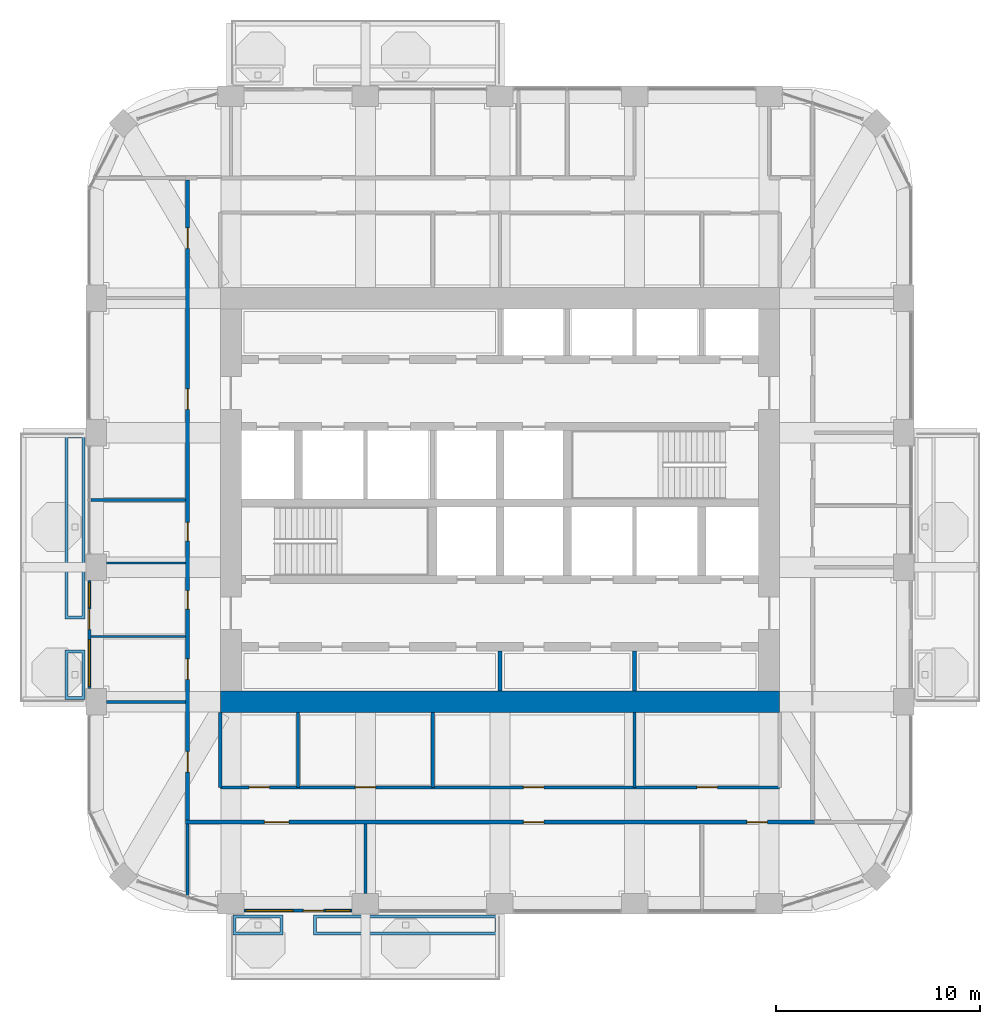
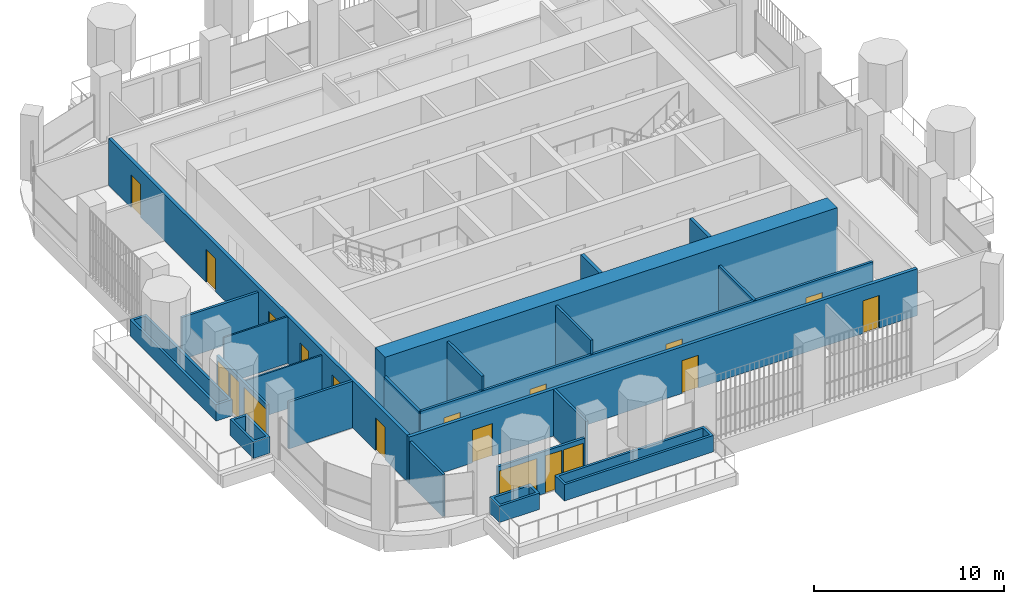
# One storey, part 12 of 20: 22 walls, 15 doors, 4 windows, 19 openings.
"""IFC4 building model written with IfcOpenShell, lengths in metres."""

from ifc_helpers import new_model, si_unit, direction, frame, frame_2d, origin, place, context, subcontext, project, spatial, polyline, rectangle, outline, extrude, material, layer, layer_set, type_object, element, fill, save


model = new_model("IFC4")

# Units and contexts
model_context = context("Model", 3, precision=1e-05, world=origin(), true_north=direction((0.0, 1.0)))
body_context = subcontext(model_context, "Body", "Model", "MODEL_VIEW")
ifc_project = project(units=[si_unit("LENGTHUNIT", "METRE"), si_unit("AREAUNIT", "SQUARE_METRE"), si_unit("VOLUMEUNIT", "CUBIC_METRE"), si_unit("PLANEANGLEUNIT", "RADIAN"), si_unit("MASSUNIT", "GRAM", prefix="KILO")], contexts=[model_context])

# Site, building, storey
site_placement = place(None, origin())
site = spatial("IfcSite", under=ifc_project, at=site_placement, CompositionType="ELEMENT")
building_placement = place(site_placement, origin())
building = spatial("IfcBuilding", under=site, at=building_placement, Name="Cobogo Forest Laboratory Tower", CompositionType="ELEMENT")
storey_placement = place(building_placement, frame((0.0, 0.0, 246.0)))
storey = spatial("IfcBuildingStorey", under=building, at=storey_placement, Name="L56", CompositionType="ELEMENT", Elevation=246.0)

# Wall
ifc_material_1 = material(Name="Concrete HA-50 (C50/60)", Category="concrete")
ifc_layer_1 = layer(ifc_material_1, 1.050048828125)
ifc_layer_set_1 = layer_set([ifc_layer_1], Name="CW1050 core outer wall 1050")
wall_type_1 = type_object("IfcWallType", Name="CW1050 core outer wall 1050", PredefinedType="SHEAR", material=ifc_layer_set_1)
wall_1_placement = place(storey_placement, frame((12.675048828125, 13.199951171875, 0.0), z_axis=(0.0, 0.0, 1.0), x_axis=(1.0, 0.0, 0.0)))
element("IfcWall", 1, at=wall_1_placement, inside=storey, type_object=wall_type_1, Name="Core wall CO-S L56", PredefinedType="SHEAR", context=body_context, shape_type="SweptSolid", body=[
    extrude(rectangle(XDim=27.449951171875, YDim=1.050048828125, at=frame_2d((13.72509765625, 0.0))), origin(), (0.0, 0.0, 1.0), 4.199951171875),
])

# Wall, openings, door, windows
ifc_material_2 = material(Name="Aluminium framed glazed screen", Category="aluminium")
ifc_layer_2 = layer(ifc_material_2, 0.14990234375)
ifc_layer_set_2 = layer_set([ifc_layer_2], Name="GS1 glazed door screen 150")
wall_type_2 = type_object("IfcWallType", Name="GS1 glazed door screen 150", PredefinedType="SOLIDWALL", material=ifc_layer_set_2)
wall_2_placement = place(storey_placement, frame((13.85009765625, 2.949951171875, 0.0), z_axis=(0.0, 0.0, 1.0), x_axis=(1.0, 0.0, 0.0)))
wall_2 = element("IfcWall", 2, at=wall_2_placement, inside=storey, type_object=wall_type_2, Name="Door screen BAL-S1 L56", PredefinedType="SOLIDWALL", context=body_context, shape_type="SweptSolid", body=[
    extrude(rectangle(XDim=5.2998046875, YDim=0.14990234375, at=frame_2d((2.64990234375, 0.0))), origin(), (0.0, 0.0, 1.0), 2.699951171875),
])
opening_1_placement = place(wall_2_placement, frame((2.89990234375, 0.0, 0.0)))
opening_1 = element("IfcOpeningElement", 3, at=opening_1_placement, cuts=wall_2, Name="Opening L56-D01", PredefinedType="OPENING", context=body_context, shape_type="SweptSolid", body=[
    extrude(rectangle(XDim=1.0, YDim=2.39990234375, at=frame_2d((0.5, 1.199951171875))), frame((0.0, 0.0849609375, 0.0), z_axis=(0.0, -1.0, 0.0), x_axis=(1.0, 0.0, 0.0)), (0.0, 0.0, 1.0), 0.169921875),
])
opening_2_placement = place(wall_2_placement, frame((0.10009765625, 0.0, 0.10009765625)))
opening_2 = element("IfcOpeningElement", 4, at=opening_2_placement, cuts=wall_2, Name="Opening L56-W01", PredefinedType="OPENING", context=body_context, shape_type="SweptSolid", body=[
    extrude(rectangle(XDim=2.300048828125, YDim=2.300048828125, at=frame_2d((1.14990234375, 1.14990234375))), frame((0.0, 0.0849609375, 0.0), z_axis=(0.0, -1.0, 0.0), x_axis=(1.0, 0.0, 0.0)), (0.0, 0.0, 1.0), 0.169921875),
])
opening_3_placement = place(wall_2_placement, frame((4.0, 0.0, 0.10009765625)))
opening_3 = element("IfcOpeningElement", 5, at=opening_3_placement, cuts=wall_2, Name="Opening L56-W02", PredefinedType="OPENING", context=body_context, shape_type="SweptSolid", body=[
    extrude(rectangle(XDim=1.199951171875, YDim=2.300048828125, at=frame_2d((0.60009765625, 1.14990234375))), frame((0.0, 0.0849609375, 0.0), z_axis=(0.0, -1.0, 0.0), x_axis=(1.0, 0.0, 0.0)), (0.0, 0.0, 1.0), 0.169921875),
])
ifc_material_3 = material(Name="Aluminium glazed door", Category="aluminium")
door_type_1 = type_object("IfcDoorType", Name="DB1 balcony door 1000 glazed", OperationType="SINGLE_SWING_LEFT", PredefinedType="DOOR", material=ifc_material_3)
door_1_placement = place(opening_1_placement, origin())
door_1 = element("IfcDoor", 6, at=door_1_placement, inside=storey, type_object=door_type_1, Name="Door L56-BAL-S1", OperationType="SINGLE_SWING_RIGHT", OverallHeight=2.39990234375, OverallWidth=1.0, PredefinedType="DOOR", context=body_context, shape_type="SweptSolid", body=[
    extrude(rectangle(XDim=1.0, YDim=2.39990234375, at=frame_2d((0.5, 1.199951171875))), frame((0.0, 0.02490234375, 0.0), z_axis=(0.0, -1.0, 0.0), x_axis=(1.0, 0.0, 0.0)), (0.0, 0.0, 1.0), 0.050048828125),
])
fill(opening_1, door_1)
ifc_material_4 = material(Name="Aluminium framed glazing", Category="aluminium")
window_type_1 = type_object("IfcWindowType", Name="WG21 fixed glazed light 2300x2300", PartitioningType="SINGLE_PANEL", PredefinedType="WINDOW", material=ifc_material_4)
window_1_placement = place(opening_2_placement, origin())
window_1 = element("IfcWindow", 7, at=window_1_placement, inside=storey, type_object=window_type_1, Name="Window L56-BAL-S1-1", OverallHeight=2.300048828125, OverallWidth=2.300048828125, PartitioningType="SINGLE_PANEL", PredefinedType="WINDOW", context=body_context, shape_type="SweptSolid", body=[
    extrude(rectangle(XDim=2.300048828125, YDim=2.300048828125, at=frame_2d((1.14990234375, 1.14990234375))), frame((0.0, 0.030029296875, 0.0), z_axis=(0.0, -1.0, 0.0), x_axis=(1.0, 0.0, 0.0)), (0.0, 0.0, 1.0), 0.06005859375),
])
fill(opening_2, window_1)
window_type_2 = type_object("IfcWindowType", Name="WG22 fixed glazed light 1200x2300", PartitioningType="SINGLE_PANEL", PredefinedType="WINDOW", material=ifc_material_4)
window_2_placement = place(opening_3_placement, origin())
window_2 = element("IfcWindow", 8, at=window_2_placement, inside=storey, type_object=window_type_2, Name="Window L56-BAL-S1-2", OverallHeight=2.300048828125, OverallWidth=1.199951171875, PartitioningType="SINGLE_PANEL", PredefinedType="WINDOW", context=body_context, shape_type="SweptSolid", body=[
    extrude(rectangle(XDim=1.199951171875, YDim=2.300048828125, at=frame_2d((0.60009765625, 1.14990234375))), frame((0.0, 0.030029296875, 0.0), z_axis=(0.0, -1.0, 0.0), x_axis=(1.0, 0.0, 0.0)), (0.0, 0.0, 1.0), 0.06005859375),
])
fill(opening_3, window_2)

wall_3_placement = place(storey_placement, frame((6.25, 19.14990234375, 0.0), z_axis=(0.0, 0.0, 1.0), x_axis=(0.0, -1.0, 0.0)))
wall_3 = element("IfcWall", 9, at=wall_3_placement, inside=storey, type_object=wall_type_2, Name="Door screen BAL-W1 L56", PredefinedType="SOLIDWALL", context=body_context, shape_type="SweptSolid", body=[
    extrude(rectangle(XDim=5.2998046875, YDim=0.14990234375, at=frame_2d((2.64990234375, 0.0))), origin(), (0.0, 0.0, 1.0), 2.699951171875),
])
opening_4_placement = place(wall_3_placement, frame((1.39990234375, 0.0, 0.0)))
opening_4 = element("IfcOpeningElement", 10, at=opening_4_placement, cuts=wall_3, Name="Opening L56-D20", PredefinedType="OPENING", context=body_context, shape_type="SweptSolid", body=[
    extrude(rectangle(XDim=1.0, YDim=2.39990234375, at=frame_2d((0.5, 1.199951171875))), frame((0.0, 0.0849609375, 0.0), z_axis=(0.0, -1.0, 0.0), x_axis=(1.0, 0.0, 0.0)), (0.0, 0.0, 1.0), 0.169921875),
])
opening_5_placement = place(wall_3_placement, frame((0.10009765625, 0.0, 0.10009765625)))
opening_5 = element("IfcOpeningElement", 11, at=opening_5_placement, cuts=wall_3, Name="Opening L56-W05", PredefinedType="OPENING", context=body_context, shape_type="SweptSolid", body=[
    extrude(rectangle(XDim=1.199951171875, YDim=2.300048828125, at=frame_2d((0.60009765625, 1.14990234375))), frame((0.0, 0.0849609375, 0.0), z_axis=(0.0, -1.0, 0.0), x_axis=(1.0, 0.0, 0.0)), (0.0, 0.0, 1.0), 0.169921875),
])
opening_6_placement = place(wall_3_placement, frame((2.89990234375, 0.0, 0.10009765625)))
opening_6 = element("IfcOpeningElement", 12, at=opening_6_placement, cuts=wall_3, Name="Opening L56-W03", PredefinedType="OPENING", context=body_context, shape_type="SweptSolid", body=[
    extrude(rectangle(XDim=2.300048828125, YDim=2.300048828125, at=frame_2d((1.14990234375, 1.14990234375))), frame((0.0, 0.0849609375, 0.0), z_axis=(0.0, -1.0, 0.0), x_axis=(1.0, 0.0, 0.0)), (0.0, 0.0, 1.0), 0.169921875),
])
door_2_placement = place(opening_4_placement, origin())
door_2 = element("IfcDoor", 13, at=door_2_placement, inside=storey, type_object=door_type_1, Name="Door L56-BAL-W1", OperationType="SINGLE_SWING_LEFT", OverallHeight=2.39990234375, OverallWidth=1.0, PredefinedType="DOOR", context=body_context, shape_type="SweptSolid", body=[
    extrude(rectangle(XDim=1.0, YDim=2.39990234375, at=frame_2d((0.5, 1.199951171875))), frame((0.0, 0.02490234375, 0.0), z_axis=(0.0, -1.0, 0.0), x_axis=(1.0, 0.0, 0.0)), (0.0, 0.0, 1.0), 0.050048828125),
])
fill(opening_4, door_2)
window_3_placement = place(opening_6_placement, origin())
window_3 = element("IfcWindow", 14, at=window_3_placement, inside=storey, type_object=window_type_1, Name="Window L56-BAL-W1-2", OverallHeight=2.300048828125, OverallWidth=2.300048828125, PartitioningType="SINGLE_PANEL", PredefinedType="WINDOW", context=body_context, shape_type="SweptSolid", body=[
    extrude(rectangle(XDim=2.300048828125, YDim=2.300048828125, at=frame_2d((1.14990234375, 1.14990234375))), frame((0.0, 0.030029296875, 0.0), z_axis=(0.0, -1.0, 0.0), x_axis=(1.0, 0.0, 0.0)), (0.0, 0.0, 1.0), 0.06005859375),
])
fill(opening_6, window_3)
window_4_placement = place(opening_5_placement, origin())
window_4 = element("IfcWindow", 15, at=window_4_placement, inside=storey, type_object=window_type_2, Name="Window L56-BAL-W1-1", OverallHeight=2.300048828125, OverallWidth=1.199951171875, PartitioningType="SINGLE_PANEL", PredefinedType="WINDOW", context=body_context, shape_type="SweptSolid", body=[
    extrude(rectangle(XDim=1.199951171875, YDim=2.300048828125, at=frame_2d((0.60009765625, 1.14990234375))), frame((0.0, 0.030029296875, 0.0), z_axis=(0.0, -1.0, 0.0), x_axis=(1.0, 0.0, 0.0)), (0.0, 0.0, 1.0), 0.06005859375),
])
fill(opening_5, window_4)

# Wall, openings, doors
ifc_material_5 = material(Name="Gypsum board on steel studs", Category="steel")
ifc_layer_3 = layer(ifc_material_5, 0.14990234375)
ifc_layer_set_3 = layer_set([ifc_layer_3], Name="PT1 laboratory partition 150")
wall_type_3 = type_object("IfcWallType", Name="PT1 laboratory partition 150", PredefinedType="PARTITIONING", material=ifc_layer_set_3)
wall_4_placement = place(storey_placement, frame((12.675048828125, 9.0, 0.0), z_axis=(0.0, 0.0, 1.0), x_axis=(1.0, 0.0, 0.0)))
wall_4 = element("IfcWall", 16, at=wall_4_placement, inside=storey, type_object=wall_type_3, Name="Partition CSTRIP-S L56", PredefinedType="PARTITIONING", context=body_context, shape_type="SweptSolid", body=[
    extrude(rectangle(XDim=27.449951171875, YDim=0.14990234375, at=frame_2d((13.72509765625, 0.0))), origin(), (0.0, 0.0, 1.0), 3.0),
])
opening_7_placement = place(wall_4_placement, frame((1.41259765625, 0.0, 0.0)))
opening_7 = element("IfcOpeningElement", 17, at=opening_7_placement, cuts=wall_4, Name="Opening L56-D05", PredefinedType="OPENING", context=body_context, shape_type="SweptSolid", body=[
    extrude(rectangle(XDim=1.0, YDim=2.10009765625, at=frame_2d((0.5, 1.050048828125))), frame((0.0, 0.0849609375, 0.0), z_axis=(0.0, -1.0, 0.0), x_axis=(1.0, 0.0, 0.0)), (0.0, 0.0, 1.0), 0.169921875),
])
opening_8_placement = place(wall_4_placement, frame((6.625, 0.0, 0.0)))
opening_8 = element("IfcOpeningElement", 18, at=opening_8_placement, cuts=wall_4, Name="Opening L56-D06", PredefinedType="OPENING", context=body_context, shape_type="SweptSolid", body=[
    extrude(rectangle(XDim=1.0, YDim=2.10009765625, at=frame_2d((0.5, 1.050048828125))), frame((0.0, 0.0849609375, 0.0), z_axis=(0.0, -1.0, 0.0), x_axis=(1.0, 0.0, 0.0)), (0.0, 0.0, 1.0), 0.169921875),
])
opening_9_placement = place(wall_4_placement, frame((14.875, 0.0, 0.0)))
opening_9 = element("IfcOpeningElement", 19, at=opening_9_placement, cuts=wall_4, Name="Opening L56-D07", PredefinedType="OPENING", context=body_context, shape_type="SweptSolid", body=[
    extrude(rectangle(XDim=1.0, YDim=2.10009765625, at=frame_2d((0.5, 1.050048828125))), frame((0.0, 0.0849609375, 0.0), z_axis=(0.0, -1.0, 0.0), x_axis=(1.0, 0.0, 0.0)), (0.0, 0.0, 1.0), 0.169921875),
])
opening_10_placement = place(wall_4_placement, frame((23.387451171875, 0.0, 0.0)))
opening_10 = element("IfcOpeningElement", 20, at=opening_10_placement, cuts=wall_4, Name="Opening L56-D08", PredefinedType="OPENING", context=body_context, shape_type="SweptSolid", body=[
    extrude(rectangle(XDim=1.0, YDim=2.10009765625, at=frame_2d((0.5, 1.050048828125))), frame((0.0, 0.0849609375, 0.0), z_axis=(0.0, -1.0, 0.0), x_axis=(1.0, 0.0, 0.0)), (0.0, 0.0, 1.0), 0.169921875),
])
ifc_material_6 = material(Name="Timber fire door", Category="wood")
door_type_2 = type_object("IfcDoorType", Name="FD2 fire door 1000 EI2 30", OperationType="SINGLE_SWING_LEFT", PredefinedType="DOOR", material=ifc_material_6)
door_3_placement = place(opening_7_placement, origin())
door_3 = element("IfcDoor", 21, at=door_3_placement, inside=storey, type_object=door_type_2, Name="Door L56-CSS1", OperationType="SINGLE_SWING_LEFT", OverallHeight=2.10009765625, OverallWidth=1.0, PredefinedType="DOOR", context=body_context, shape_type="SweptSolid", body=[
    extrude(rectangle(XDim=1.0, YDim=2.10009765625, at=frame_2d((0.5, 1.050048828125))), frame((0.0, 0.02490234375, 0.0), z_axis=(0.0, -1.0, 0.0), x_axis=(1.0, 0.0, 0.0)), (0.0, 0.0, 1.0), 0.050048828125),
])
fill(opening_7, door_3)
door_4_placement = place(opening_8_placement, origin())
door_4 = element("IfcDoor", 22, at=door_4_placement, inside=storey, type_object=door_type_2, Name="Door L56-CSS2", OperationType="SINGLE_SWING_LEFT", OverallHeight=2.10009765625, OverallWidth=1.0, PredefinedType="DOOR", context=body_context, shape_type="SweptSolid", body=[
    extrude(rectangle(XDim=1.0, YDim=2.10009765625, at=frame_2d((0.5, 1.050048828125))), frame((0.0, 0.02490234375, 0.0), z_axis=(0.0, -1.0, 0.0), x_axis=(1.0, 0.0, 0.0)), (0.0, 0.0, 1.0), 0.050048828125),
])
fill(opening_8, door_4)
door_5_placement = place(opening_9_placement, origin())
door_5 = element("IfcDoor", 23, at=door_5_placement, inside=storey, type_object=door_type_2, Name="Door L56-CSS3", OperationType="SINGLE_SWING_RIGHT", OverallHeight=2.10009765625, OverallWidth=1.0, PredefinedType="DOOR", context=body_context, shape_type="SweptSolid", body=[
    extrude(rectangle(XDim=1.0, YDim=2.10009765625, at=frame_2d((0.5, 1.050048828125))), frame((0.0, 0.02490234375, 0.0), z_axis=(0.0, -1.0, 0.0), x_axis=(1.0, 0.0, 0.0)), (0.0, 0.0, 1.0), 0.050048828125),
])
fill(opening_9, door_5)
door_6_placement = place(opening_10_placement, origin())
door_6 = element("IfcDoor", 24, at=door_6_placement, inside=storey, type_object=door_type_2, Name="Door L56-CSS4", OperationType="SINGLE_SWING_RIGHT", OverallHeight=2.10009765625, OverallWidth=1.0, PredefinedType="DOOR", context=body_context, shape_type="SweptSolid", body=[
    extrude(rectangle(XDim=1.0, YDim=2.10009765625, at=frame_2d((0.5, 1.050048828125))), frame((0.0, 0.02490234375, 0.0), z_axis=(0.0, -1.0, 0.0), x_axis=(1.0, 0.0, 0.0)), (0.0, 0.0, 1.0), 0.050048828125),
])
fill(opening_10, door_6)

# Walls
wall_5_placement = place(storey_placement, frame((12.675048828125, 12.675048828125, 0.0), z_axis=(0.0, 0.0, 1.0), x_axis=(0.0, -1.0, 0.0)))
element("IfcWall", 25, at=wall_5_placement, inside=storey, type_object=wall_type_3, Name="Partition CSTRIP-SW L56", PredefinedType="PARTITIONING", context=body_context, shape_type="SweptSolid", body=[
    extrude(rectangle(XDim=3.675048828125, YDim=0.14990234375, at=frame_2d((1.83740234375, 0.0))), origin(), (0.0, 0.0, 1.0), 3.0),
])
for number, where, z_axis, x_axis, name in (
    (26, (16.5, 12.675048828125, 0.0), (0.0, 0.0, 1.0), (0.0, -1.0, 0.0), "Partition CSTRIP-S16.5 L56"),
    (27, (23.10009765625, 12.675048828125, 0.0), (0.0, 0.0, 1.0), (0.0, -1.0, 0.0), "Partition CSTRIP-S23.1 L56"),
):
    element("IfcWall", number, at=place(storey_placement, frame(where, z_axis=z_axis, x_axis=x_axis)), inside=storey, type_object=wall_type_3, Name=name, PredefinedType="PARTITIONING", context=body_context, shape_type="SweptSolid", body=[
        extrude(rectangle(XDim=3.675048828125, YDim=0.14990234375, at=frame_2d((1.83740234375, 0.0))), origin(), (0.0, 0.0, 1.0), 3.89990234375),
    ])
wall_6_placement = place(storey_placement, frame((33.0, 12.675048828125, 0.0), z_axis=(0.0, 0.0, 1.0), x_axis=(0.0, -1.0, 0.0)))
element("IfcWall", 28, at=wall_6_placement, inside=storey, type_object=wall_type_3, Name="Partition CSTRIP-S33 L56", PredefinedType="PARTITIONING", context=body_context, shape_type="SweptSolid", body=[
    extrude(rectangle(XDim=3.675048828125, YDim=0.14990234375, at=frame_2d((1.83740234375, 0.0))), origin(), (0.0, 0.0, 1.0), 3.0),
])
wall_7_placement = place(storey_placement, frame((11.074951171875, 3.705078125, 0.0), z_axis=(0.0, 0.0, 1.0), x_axis=(0.0, 1.0, 0.0)))
element("IfcWall", 29, at=wall_7_placement, inside=storey, type_object=wall_type_3, Name="Partition PW-SW L56", PredefinedType="PARTITIONING", context=body_context, shape_type="SweptSolid", body=[
    extrude(rectangle(XDim=3.494873046875, YDim=0.14990234375, at=frame_2d((1.74755859375, 0.0))), origin(), (0.0, 0.0, 1.0), 2.699951171875),
])
wall_8_placement = place(storey_placement, frame((19.800048828125, 3.800048828125, 0.0), z_axis=(0.0, 0.0, 1.0), x_axis=(0.0, 1.0, 0.0)))
element("IfcWall", 30, at=wall_8_placement, inside=storey, type_object=wall_type_3, Name="Partition CUT-S19.8-1 L56", PredefinedType="PARTITIONING", context=body_context, shape_type="SweptSolid", body=[
    extrude(rectangle(XDim=3.39990234375, YDim=0.14990234375, at=frame_2d((1.699951171875, 0.0))), origin(), (0.0, 0.0, 1.0), 3.0),
])
wall_9_placement = place(storey_placement, frame((6.330078125, 23.10009765625, 0.0), z_axis=(0.0, 0.0, 1.0), x_axis=(1.0, 0.0, 0.0)))
element("IfcWall", 31, at=wall_9_placement, inside=storey, type_object=wall_type_3, Name="Partition SVC-W3-1 L56", PredefinedType="PARTITIONING", context=body_context, shape_type="SweptSolid", body=[
    extrude(rectangle(XDim=4.64501953125, YDim=0.14990234375, at=frame_2d((2.322509765625, 0.0))), origin(), (0.0, 0.0, 1.0), 2.699951171875),
])
wall_10_placement = place(storey_placement, frame((7.10009765625, 13.199951171875, 0.0), z_axis=(0.0, 0.0, 1.0), x_axis=(1.0, 0.0, 0.0)))
element("IfcWall", 32, at=wall_10_placement, inside=storey, type_object=wall_type_3, Name="Partition CUT-W13.2-1 L56", PredefinedType="PARTITIONING", context=body_context, shape_type="SweptSolid", body=[
    extrude(rectangle(XDim=3.875, YDim=0.14990234375, at=frame_2d((1.9375, 0.0))), origin(), (0.0, 0.0, 1.0), 3.0),
])

# Wall, openings, doors
ifc_layer_4 = layer(ifc_material_5, 0.199951171875)
ifc_layer_set_4 = layer_set([ifc_layer_4], Name="PT2 fire-rated corridor partition 200")
wall_type_4 = type_object("IfcWallType", Name="PT2 fire-rated corridor partition 200", PredefinedType="PARTITIONING", material=ifc_layer_set_4)
wall_11_placement = place(storey_placement, frame((10.97509765625, 7.300048828125, 0.0), z_axis=(0.0, 0.0, 1.0), x_axis=(1.0, 0.0, 0.0)))
wall_11 = element("IfcWall", 33, at=wall_11_placement, inside=storey, type_object=wall_type_4, Name="Partition CORR-S L56", PredefinedType="PARTITIONING", context=body_context, shape_type="SweptSolid", body=[
    extrude(rectangle(XDim=30.849853515625, YDim=0.199951171875, at=frame_2d((15.4248046875, 0.0))), origin(), (0.0, 0.0, 1.0), 3.0),
])
opening_11_placement = place(wall_11_placement, frame((3.862548828125, 0.0, 0.0)))
opening_11 = element("IfcOpeningElement", 34, at=opening_11_placement, cuts=wall_11, Name="Opening L56-D02", PredefinedType="OPENING", context=body_context, shape_type="SweptSolid", body=[
    extrude(rectangle(XDim=1.199951171875, YDim=2.10009765625, at=frame_2d((0.60009765625, 1.050048828125))), frame((0.0, 0.10986328125, 0.0), z_axis=(0.0, -1.0, 0.0), x_axis=(1.0, 0.0, 0.0)), (0.0, 0.0, 1.0), 0.219970703125),
])
opening_12_placement = place(wall_11_placement, frame((16.574951171875, 0.0, 0.0)))
opening_12 = element("IfcOpeningElement", 35, at=opening_12_placement, cuts=wall_11, Name="Opening L56-D03", PredefinedType="OPENING", context=body_context, shape_type="SweptSolid", body=[
    extrude(rectangle(XDim=1.0, YDim=2.10009765625, at=frame_2d((0.5, 1.050048828125))), frame((0.0, 0.10986328125, 0.0), z_axis=(0.0, -1.0, 0.0), x_axis=(1.0, 0.0, 0.0)), (0.0, 0.0, 1.0), 0.219970703125),
])
opening_13_placement = place(wall_11_placement, frame((27.53759765625, 0.0, 0.0)))
opening_13 = element("IfcOpeningElement", 36, at=opening_13_placement, cuts=wall_11, Name="Opening L56-D04", PredefinedType="OPENING", context=body_context, shape_type="SweptSolid", body=[
    extrude(rectangle(XDim=1.0, YDim=2.10009765625, at=frame_2d((0.5, 1.050048828125))), frame((0.0, 0.10986328125, 0.0), z_axis=(0.0, -1.0, 0.0), x_axis=(1.0, 0.0, 0.0)), (0.0, 0.0, 1.0), 0.219970703125),
])
ifc_material_7 = material(Name="Timber door", Category="wood")
door_type_3 = type_object("IfcDoorType", Name="D2 laboratory door 1200 unequal pair", OperationType="DOUBLE_DOOR_SINGLE_SWING", PredefinedType="DOOR", material=ifc_material_7)
door_7_placement = place(opening_11_placement, origin())
door_7 = element("IfcDoor", 37, at=door_7_placement, inside=storey, type_object=door_type_3, Name="Door L56-S1", OperationType="DOUBLE_DOOR_SINGLE_SWING", OverallHeight=2.10009765625, OverallWidth=1.199951171875, PredefinedType="DOOR", context=body_context, shape_type="SweptSolid", body=[
    extrude(rectangle(XDim=1.199951171875, YDim=2.10009765625, at=frame_2d((0.60009765625, 1.050048828125))), frame((0.0, 0.02490234375, 0.0), z_axis=(0.0, -1.0, 0.0), x_axis=(1.0, 0.0, 0.0)), (0.0, 0.0, 1.0), 0.050048828125),
])
fill(opening_11, door_7)
door_8_placement = place(opening_12_placement, origin())
door_8 = element("IfcDoor", 38, at=door_8_placement, inside=storey, type_object=door_type_2, Name="Door L56-S2", OperationType="SINGLE_SWING_RIGHT", OverallHeight=2.10009765625, OverallWidth=1.0, PredefinedType="DOOR", context=body_context, shape_type="SweptSolid", body=[
    extrude(rectangle(XDim=1.0, YDim=2.10009765625, at=frame_2d((0.5, 1.050048828125))), frame((0.0, 0.02490234375, 0.0), z_axis=(0.0, -1.0, 0.0), x_axis=(1.0, 0.0, 0.0)), (0.0, 0.0, 1.0), 0.050048828125),
])
fill(opening_12, door_8)
door_9_placement = place(opening_13_placement, origin())
door_9 = element("IfcDoor", 39, at=door_9_placement, inside=storey, type_object=door_type_2, Name="Door L56-S3", OperationType="SINGLE_SWING_RIGHT", OverallHeight=2.10009765625, OverallWidth=1.0, PredefinedType="DOOR", context=body_context, shape_type="SweptSolid", body=[
    extrude(rectangle(XDim=1.0, YDim=2.10009765625, at=frame_2d((0.5, 1.050048828125))), frame((0.0, 0.02490234375, 0.0), z_axis=(0.0, -1.0, 0.0), x_axis=(1.0, 0.0, 0.0)), (0.0, 0.0, 1.0), 0.050048828125),
])
fill(opening_13, door_9)

wall_12_placement = place(storey_placement, frame((11.074951171875, 7.39990234375, 0.0), z_axis=(0.0, 0.0, 1.0), x_axis=(0.0, 1.0, 0.0)))
wall_12 = element("IfcWall", 40, at=wall_12_placement, inside=storey, type_object=wall_type_4, Name="Partition CORR-W L56", PredefinedType="PARTITIONING", context=body_context, shape_type="SweptSolid", body=[
    extrude(rectangle(XDim=31.400146484375, YDim=0.199951171875, at=frame_2d((15.7001953125, 0.0))), origin(), (0.0, 0.0, 1.0), 3.0),
])
opening_14_placement = place(wall_12_placement, frame((2.35009765625, 0.0, 0.0)))
opening_14 = element("IfcOpeningElement", 41, at=opening_14_placement, cuts=wall_12, Name="Opening L56-D09", PredefinedType="OPENING", context=body_context, shape_type="SweptSolid", body=[
    extrude(rectangle(XDim=1.0, YDim=2.10009765625, at=frame_2d((0.5, 1.050048828125))), frame((0.0, 0.10986328125, 0.0), z_axis=(0.0, -1.0, 0.0), x_axis=(1.0, 0.0, 0.0)), (0.0, 0.0, 1.0), 0.219970703125),
])
opening_15_placement = place(wall_12_placement, frame((6.89990234375, 0.0, 0.0)))
opening_15 = element("IfcOpeningElement", 42, at=opening_15_placement, cuts=wall_12, Name="Opening L56-D11", PredefinedType="OPENING", context=body_context, shape_type="SweptSolid", body=[
    extrude(rectangle(XDim=1.0, YDim=2.10009765625, at=frame_2d((0.5, 1.050048828125))), frame((0.0, 0.10986328125, 0.0), z_axis=(0.0, -1.0, 0.0), x_axis=(1.0, 0.0, 0.0)), (0.0, 0.0, 1.0), 0.219970703125),
])
opening_16_placement = place(wall_12_placement, frame((10.35009765625, 0.0, 0.0)))
opening_16 = element("IfcOpeningElement", 43, at=opening_16_placement, cuts=wall_12, Name="Opening L56-D24", PredefinedType="OPENING", context=body_context, shape_type="SweptSolid", body=[
    extrude(rectangle(XDim=0.89990234375, YDim=2.10009765625, at=frame_2d((0.449951171875, 1.050048828125))), frame((0.0, 0.10986328125, 0.0), z_axis=(0.0, -1.0, 0.0), x_axis=(1.0, 0.0, 0.0)), (0.0, 0.0, 1.0), 0.219970703125),
])
opening_17_placement = place(wall_12_placement, frame((13.699951171875, 0.0, 0.0)))
opening_17 = element("IfcOpeningElement", 44, at=opening_17_placement, cuts=wall_12, Name="Opening L56-D29", PredefinedType="OPENING", context=body_context, shape_type="SweptSolid", body=[
    extrude(rectangle(XDim=0.89990234375, YDim=2.10009765625, at=frame_2d((0.449951171875, 1.050048828125))), frame((0.0, 0.10986328125, 0.0), z_axis=(0.0, -1.0, 0.0), x_axis=(1.0, 0.0, 0.0)), (0.0, 0.0, 1.0), 0.219970703125),
])
opening_18_placement = place(wall_12_placement, frame((20.14990234375, 0.0, 0.0)))
opening_18 = element("IfcOpeningElement", 45, at=opening_18_placement, cuts=wall_12, Name="Opening L56-D32", PredefinedType="OPENING", context=body_context, shape_type="SweptSolid", body=[
    extrude(rectangle(XDim=1.0, YDim=2.10009765625, at=frame_2d((0.5, 1.050048828125))), frame((0.0, 0.10986328125, 0.0), z_axis=(0.0, -1.0, 0.0), x_axis=(1.0, 0.0, 0.0)), (0.0, 0.0, 1.0), 0.219970703125),
])
opening_19_placement = place(wall_12_placement, frame((28.050048828125, 0.0, 0.0)))
opening_19 = element("IfcOpeningElement", 46, at=opening_19_placement, cuts=wall_12, Name="Opening L56-D40", PredefinedType="OPENING", context=body_context, shape_type="SweptSolid", body=[
    extrude(rectangle(XDim=1.0, YDim=2.10009765625, at=frame_2d((0.5, 1.050048828125))), frame((0.0, 0.10986328125, 0.0), z_axis=(0.0, -1.0, 0.0), x_axis=(1.0, 0.0, 0.0)), (0.0, 0.0, 1.0), 0.219970703125),
])
door_10_placement = place(opening_14_placement, origin())
door_10 = element("IfcDoor", 47, at=door_10_placement, inside=storey, type_object=door_type_2, Name="Door L56-W1", OperationType="SINGLE_SWING_LEFT", OverallHeight=2.10009765625, OverallWidth=1.0, PredefinedType="DOOR", context=body_context, shape_type="SweptSolid", body=[
    extrude(rectangle(XDim=1.0, YDim=2.10009765625, at=frame_2d((0.5, 1.050048828125))), frame((0.0, 0.02490234375, 0.0), z_axis=(0.0, -1.0, 0.0), x_axis=(1.0, 0.0, 0.0)), (0.0, 0.0, 1.0), 0.050048828125),
])
fill(opening_14, door_10)
door_11_placement = place(opening_18_placement, origin())
door_11 = element("IfcDoor", 48, at=door_11_placement, inside=storey, type_object=door_type_2, Name="Door L56-W2", OperationType="SINGLE_SWING_RIGHT", OverallHeight=2.10009765625, OverallWidth=1.0, PredefinedType="DOOR", context=body_context, shape_type="SweptSolid", body=[
    extrude(rectangle(XDim=1.0, YDim=2.10009765625, at=frame_2d((0.5, 1.050048828125))), frame((0.0, 0.02490234375, 0.0), z_axis=(0.0, -1.0, 0.0), x_axis=(1.0, 0.0, 0.0)), (0.0, 0.0, 1.0), 0.050048828125),
])
fill(opening_18, door_11)
door_12_placement = place(opening_19_placement, origin())
door_12 = element("IfcDoor", 49, at=door_12_placement, inside=storey, type_object=door_type_2, Name="Door L56-W3", OperationType="SINGLE_SWING_RIGHT", OverallHeight=2.10009765625, OverallWidth=1.0, PredefinedType="DOOR", context=body_context, shape_type="SweptSolid", body=[
    extrude(rectangle(XDim=1.0, YDim=2.10009765625, at=frame_2d((0.5, 1.050048828125))), frame((0.0, 0.02490234375, 0.0), z_axis=(0.0, -1.0, 0.0), x_axis=(1.0, 0.0, 0.0)), (0.0, 0.0, 1.0), 0.050048828125),
])
fill(opening_19, door_12)
door_type_4 = type_object("IfcDoorType", Name="FD3 toilet fire door 900 EI2 30", OperationType="SINGLE_SWING_LEFT", PredefinedType="DOOR", material=ifc_material_6)
door_13_placement = place(opening_16_placement, origin())
door_13 = element("IfcDoor", 50, at=door_13_placement, inside=storey, type_object=door_type_4, Name="Door L56-WCF", OperationType="SINGLE_SWING_LEFT", OverallHeight=2.10009765625, OverallWidth=0.89990234375, PredefinedType="DOOR", context=body_context, shape_type="SweptSolid", body=[
    extrude(rectangle(XDim=0.89990234375, YDim=2.10009765625, at=frame_2d((0.449951171875, 1.050048828125))), frame((0.0, 0.02490234375, 0.0), z_axis=(0.0, -1.0, 0.0), x_axis=(1.0, 0.0, 0.0)), (0.0, 0.0, 1.0), 0.050048828125),
])
fill(opening_16, door_13)
door_14_placement = place(opening_17_placement, origin())
door_14 = element("IfcDoor", 51, at=door_14_placement, inside=storey, type_object=door_type_4, Name="Door L56-WCM", OperationType="SINGLE_SWING_LEFT", OverallHeight=2.10009765625, OverallWidth=0.89990234375, PredefinedType="DOOR", context=body_context, shape_type="SweptSolid", body=[
    extrude(rectangle(XDim=0.89990234375, YDim=2.10009765625, at=frame_2d((0.449951171875, 1.050048828125))), frame((0.0, 0.02490234375, 0.0), z_axis=(0.0, -1.0, 0.0), x_axis=(1.0, 0.0, 0.0)), (0.0, 0.0, 1.0), 0.050048828125),
])
fill(opening_17, door_14)
door_type_5 = type_object("IfcDoorType", Name="FDA1 accessible toilet fire door 1000 EI2 30", OperationType="SINGLE_SWING_RIGHT", PredefinedType="DOOR", material=ifc_material_6)
door_15_placement = place(opening_15_placement, origin())
door_15 = element("IfcDoor", 52, at=door_15_placement, inside=storey, type_object=door_type_5, Name="Door L56-WCA", OperationType="SINGLE_SWING_LEFT", OverallHeight=2.10009765625, OverallWidth=1.0, PredefinedType="DOOR", context=body_context, shape_type="SweptSolid", body=[
    extrude(rectangle(XDim=1.0, YDim=2.10009765625, at=frame_2d((0.5, 1.050048828125))), frame((0.0, 0.02490234375, 0.0), z_axis=(0.0, -1.0, 0.0), x_axis=(1.0, 0.0, 0.0)), (0.0, 0.0, 1.0), 0.050048828125),
])
fill(opening_15, door_15)

# Walls
ifc_layer_5 = layer(ifc_material_5, 0.10009765625)
ifc_layer_set_5 = layer_set([ifc_layer_5], Name="PT3 toilet partition 100")
wall_type_5 = type_object("IfcWallType", Name="PT3 toilet partition 100", PredefinedType="PARTITIONING", material=ifc_layer_set_5)
wall_13_placement = place(storey_placement, frame((6.330078125, 16.39990234375, 0.0), z_axis=(0.0, 0.0, 1.0), x_axis=(1.0, 0.0, 0.0)))
element("IfcWall", 53, at=wall_13_placement, inside=storey, type_object=wall_type_5, Name="Partition SVC-W1-1 L56", PredefinedType="PARTITIONING", context=body_context, shape_type="SweptSolid", body=[
    extrude(rectangle(XDim=4.64501953125, YDim=0.10009765625, at=frame_2d((2.322509765625, 0.0))), origin(), (0.0, 0.0, 1.0), 2.699951171875),
])
wall_14_placement = place(storey_placement, frame((7.10009765625, 20.0, 0.0), z_axis=(0.0, 0.0, 1.0), x_axis=(1.0, 0.0, 0.0)))
element("IfcWall", 54, at=wall_14_placement, inside=storey, type_object=wall_type_5, Name="Partition SVC-W2-1 L56", PredefinedType="PARTITIONING", context=body_context, shape_type="SweptSolid", body=[
    extrude(rectangle(XDim=3.875, YDim=0.10009765625, at=frame_2d((1.9375, 0.0))), origin(), (0.0, 0.0, 1.0), 3.0),
])
ifc_material_8 = material(Name="Concrete HA-40 (C40/50)", Category="concrete")
ifc_layer_6 = layer(ifc_material_8, 0.14990234375)
ifc_layer_set_6 = layer_set([ifc_layer_6], Name="Planter box 1000x1050")
wall_type_6 = type_object("IfcWallType", Name="Planter box 1000x1050", PredefinedType="USERDEFINED", material=ifc_layer_set_6)
wall_15_placement = place(storey_placement, origin())
element("IfcWall", 55, at=wall_15_placement, inside=storey, type_object=wall_type_6, Name="Planter BAL-S1-1 L56", ObjectType="PLANTER", PredefinedType="USERDEFINED", context=body_context, shape_type="SweptSolid", body=[
    extrude(outline(polyline([(13.300048828125, 1.75), (15.75, 1.75), (15.75, 2.75), (13.300048828125, 2.75), (13.300048828125, 1.75)]), holes=[polyline([(13.449951171875, 1.89990234375), (15.60009765625, 1.89990234375), (15.60009765625, 2.60009765625), (13.449951171875, 2.60009765625), (13.449951171875, 1.89990234375)])]), origin(), (0.0, 0.0, 1.0), 1.050048828125),
])
wall_16_placement = place(storey_placement, origin())
element("IfcWall", 56, at=wall_16_placement, inside=storey, type_object=wall_type_6, Name="Planter BAL-S1-2 L56", ObjectType="PLANTER", PredefinedType="USERDEFINED", context=body_context, shape_type="SweptSolid", body=[
    extrude(outline(polyline([(17.25, 1.75), (26.300048828125, 1.75), (26.300048828125, 2.75), (17.25, 2.75), (17.25, 1.75)]), holes=[polyline([(17.39990234375, 1.89990234375), (26.14990234375, 1.89990234375), (26.14990234375, 2.60009765625), (17.39990234375, 2.60009765625), (17.39990234375, 1.89990234375)])]), origin(), (0.0, 0.0, 1.0), 1.050048828125),
])
wall_17_placement = place(storey_placement, origin())
element("IfcWall", 57, at=wall_17_placement, inside=storey, type_object=wall_type_6, Name="Planter BAL-W1-1 L56", ObjectType="PLANTER", PredefinedType="USERDEFINED", context=body_context, shape_type="SweptSolid", body=[
    extrude(outline(polyline([(5.050048828125, 13.300048828125), (6.050048828125, 13.300048828125), (6.050048828125, 15.75), (5.050048828125, 15.75), (5.050048828125, 13.300048828125)]), holes=[polyline([(5.199951171875, 13.449951171875), (5.89990234375, 13.449951171875), (5.89990234375, 15.60009765625), (5.199951171875, 15.60009765625), (5.199951171875, 13.449951171875)])]), origin(), (0.0, 0.0, 1.0), 1.050048828125),
])
wall_18_placement = place(storey_placement, origin())
element("IfcWall", 58, at=wall_18_placement, inside=storey, type_object=wall_type_6, Name="Planter BAL-W1-2 L56", ObjectType="PLANTER", PredefinedType="USERDEFINED", context=body_context, shape_type="SweptSolid", body=[
    extrude(outline(polyline([(5.050048828125, 17.25), (6.050048828125, 17.25), (6.050048828125, 26.300048828125), (5.050048828125, 26.300048828125), (5.050048828125, 17.25)]), holes=[polyline([(5.199951171875, 17.39990234375), (5.89990234375, 17.39990234375), (5.89990234375, 26.14990234375), (5.199951171875, 26.14990234375), (5.199951171875, 17.39990234375)])]), origin(), (0.0, 0.0, 1.0), 1.050048828125),
])
ifc_material_9 = material(Name="Concrete block", Category="concrete")
ifc_layer_7 = layer(ifc_material_9, 0.199951171875)
ifc_layer_set_7 = layer_set([ifc_layer_7], Name="SW200 lift shaft separator 200")
wall_type_7 = type_object("IfcWallType", Name="SW200 lift shaft separator 200", PredefinedType="PARTITIONING", material=ifc_layer_set_7)
for number, where, z_axis, x_axis, name in (
    (59, (26.39990234375, 13.72509765625, 0.0), (0.0, 0.0, 1.0), (0.0, 1.0, 0.0), "Core wall SEP-S4 L56"),
    (60, (33.0, 13.72509765625, 0.0), (0.0, 0.0, 1.0), (0.0, 1.0, 0.0), "Core wall SEP-S6 L56"),
):
    element("IfcWall", number, at=place(storey_placement, frame(where, z_axis=z_axis, x_axis=x_axis)), inside=storey, type_object=wall_type_7, Name=name, PredefinedType="PARTITIONING", context=body_context, shape_type="SweptSolid", body=[
        extrude(rectangle(XDim=1.974853515625, YDim=0.199951171875, at=frame_2d((0.9873046875, 0.0))), origin(), (0.0, 0.0, 1.0), 4.199951171875),
    ])

save(model, "model.ifc")
